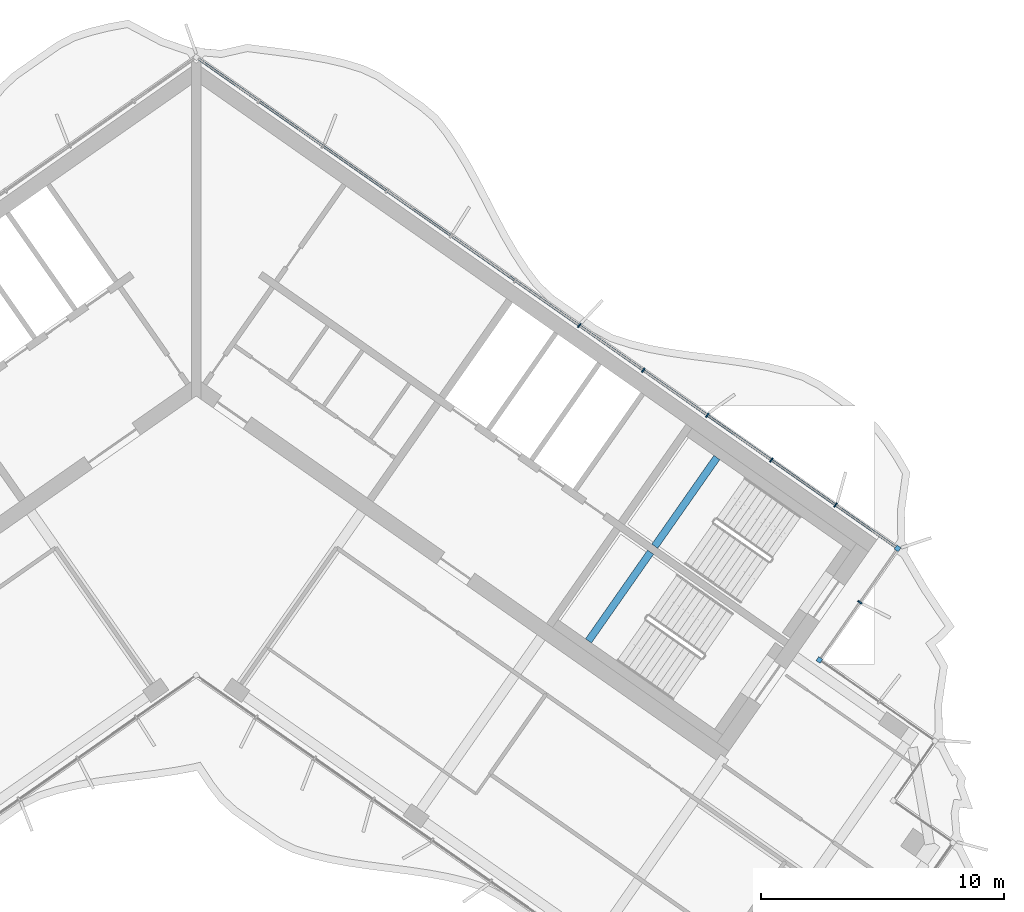
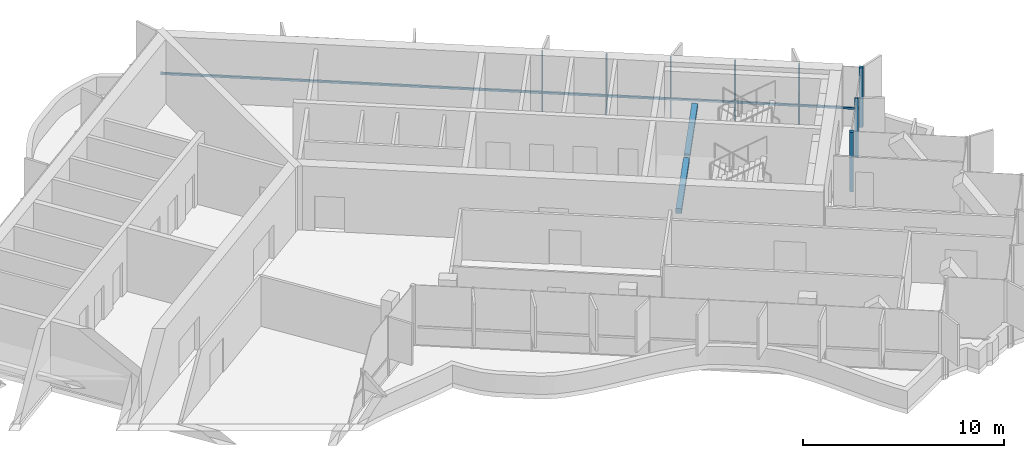
# One storey, part 5 of 18: 9 members, 2 beams, 1 element without a shape of its own.
"""IFC4 building model written with IfcOpenShell, lengths in metres."""

from ifc_helpers import new_model, si_unit, direction, frame, origin, origin_2d, place, context, subcontext, project, spatial, rectangle, extrude, material, material_profile, profile_set, type_object, element, aggregate, save


model = new_model("IFC4")

# Units and contexts
model_context = context("Model", 3, precision=1e-05, world=origin(), true_north=direction((0.0, 1.0)))
body_context = subcontext(model_context, "Body", "Model", "MODEL_VIEW")
ifc_project = project(units=[si_unit("LENGTHUNIT", "METRE"), si_unit("AREAUNIT", "SQUARE_METRE"), si_unit("VOLUMEUNIT", "CUBIC_METRE"), si_unit("PLANEANGLEUNIT", "RADIAN"), si_unit("MASSUNIT", "GRAM", prefix="KILO")], contexts=[model_context])

# Site, building, storey
site_placement = place(None, origin())
site = spatial("IfcSite", under=ifc_project, at=site_placement, CompositionType="ELEMENT")
building_placement = place(site_placement, origin())
building = spatial("IfcBuilding", under=site, at=building_placement, Name="Tel Ilan Convention Tower", CompositionType="ELEMENT")
storey_placement = place(building_placement, frame((0.0, 0.0, 268.300048828125)))
storey = spatial("IfcBuildingStorey", under=building, at=storey_placement, Name="L63", CompositionType="ELEMENT", Elevation=268.300048828125)

# Curtain wall, members
ifc_material_1 = material(Name="Aluminium, bronze anodised", Category="aluminium")
curtain_wall_type = type_object("IfcCurtainWallType", Name="CW2 STICK CURTAIN WALL, SPANDREL PANELS", PredefinedType="NOTDEFINED", material=ifc_material_1)
curtain_wall_placement = place(storey_placement, origin())
curtain_wall = element("IfcCurtainWall", 1, at=curtain_wall_placement, inside=storey, type_object=curtain_wall_type, Name="Curtain wall CW2-48.01", PredefinedType="NOTDEFINED")
ifc_material_2 = material(Name="Aluminium, bronze anodised", Category="aluminium")
ifc_material_profile_1 = material_profile(ifc_material_2, rectangle(XDim=0.199951171875, YDim=0.199951171875, at=origin_2d()), Name="CW CORNER MULLION 200x200")
ifc_profile_set_1 = profile_set([ifc_material_profile_1], Name="Aluminium, bronze anodised")
member_type_1 = type_object("IfcMemberType", Name="CW CORNER MULLION 200x200", PredefinedType="MULLION", material=ifc_profile_set_1)
member_1_placement = place(storey_placement, frame((25.607421875, -12.07080078125, 0.0), z_axis=(0.0, 0.0, 1.0), x_axis=(-0.819152044289, 0.573576436351, 0.0)))
member_1 = element("IfcMember", 2, at=member_1_placement, type_object=member_type_1, Name="Corner mullion", PredefinedType="MULLION", context=body_context, shape_type="SweptSolid", body=[
    extrude(rectangle(XDim=0.199951171875, YDim=0.199951171875, at=origin_2d()), origin(), (0.0, 0.0, 1.0), 3.619873046875),
])
member_2_placement = place(storey_placement, frame((28.819580078125, -7.483642578125, 0.0), z_axis=(0.0, 0.0, 1.0), x_axis=(0.573576436351, 0.819152044289, 0.0)))
member_2 = element("IfcMember", 3, at=member_2_placement, type_object=member_type_1, Name="Corner mullion", PredefinedType="MULLION", context=body_context, shape_type="SweptSolid", body=[
    extrude(rectangle(XDim=0.199951171875, YDim=0.199951171875, at=origin_2d()), origin(), (0.0, 0.0, 1.0), 3.619873046875),
])
ifc_material_3 = material(Name="Aluminium, bronze anodised", Category="aluminium")
ifc_material_profile_2 = material_profile(ifc_material_3, rectangle(XDim=0.06005859375, YDim=0.199951171875, at=origin_2d()), Name="CW MULLION 60x200")
ifc_profile_set_2 = profile_set([ifc_material_profile_2], Name="Aluminium, bronze anodised")
member_type_2 = type_object("IfcMemberType", Name="CW MULLION 60x200", PredefinedType="MULLION", material=ifc_profile_set_2)
member_3_placement = place(storey_placement, frame((27.27099609375, -9.6953125, 0.0), z_axis=(0.0, 0.0, 1.0), x_axis=(0.573576436351, 0.819152044289, 0.0)))
member_3 = element("IfcMember", 4, at=member_3_placement, type_object=member_type_2, Name="Mullion", PredefinedType="MULLION", context=body_context, shape_type="SweptSolid", body=[
    extrude(rectangle(XDim=0.06005859375, YDim=0.199951171875, at=origin_2d()), origin(), (0.0, 0.0, 1.0), 3.619873046875),
])
member_4_placement = place(storey_placement, frame((26.268798828125, -5.697509765625, 0.0), z_axis=(0.0, 0.0, 1.0), x_axis=(-0.819152044289, 0.573576436351, 0.0)))
member_4 = element("IfcMember", 5, at=member_4_placement, type_object=member_type_2, Name="Mullion", PredefinedType="MULLION", context=body_context, shape_type="SweptSolid", body=[
    extrude(rectangle(XDim=0.06005859375, YDim=0.199951171875, at=origin_2d()), origin(), (0.0, 0.0, 1.0), 3.619873046875),
])
member_5_placement = place(storey_placement, frame((23.63623046875, -3.854248046875, 0.0), z_axis=(0.0, 0.0, 1.0), x_axis=(-0.819152044289, 0.573576436351, 0.0)))
member_5 = element("IfcMember", 6, at=member_5_placement, type_object=member_type_2, Name="Mullion", PredefinedType="MULLION", context=body_context, shape_type="SweptSolid", body=[
    extrude(rectangle(XDim=0.06005859375, YDim=0.199951171875, at=origin_2d()), origin(), (0.0, 0.0, 1.0), 3.619873046875),
])
member_6_placement = place(storey_placement, frame((21.003662109375, -2.0107421875, 0.0), z_axis=(0.0, 0.0, 1.0), x_axis=(-0.819152044289, 0.573576436351, 0.0)))
member_6 = element("IfcMember", 7, at=member_6_placement, type_object=member_type_2, Name="Mullion", PredefinedType="MULLION", context=body_context, shape_type="SweptSolid", body=[
    extrude(rectangle(XDim=0.06005859375, YDim=0.199951171875, at=origin_2d()), origin(), (0.0, 0.0, 1.0), 3.619873046875),
])
member_7_placement = place(storey_placement, frame((18.37109375, -0.16748046875, 0.0), z_axis=(0.0, 0.0, 1.0), x_axis=(-0.819152044289, 0.573576436351, 0.0)))
member_7 = element("IfcMember", 8, at=member_7_placement, type_object=member_type_2, Name="Mullion", PredefinedType="MULLION", context=body_context, shape_type="SweptSolid", body=[
    extrude(rectangle(XDim=0.06005859375, YDim=0.199951171875, at=origin_2d()), origin(), (0.0, 0.0, 1.0), 3.619873046875),
])
member_8_placement = place(storey_placement, frame((15.73828125, 1.676025390625, 0.0), z_axis=(0.0, 0.0, 1.0), x_axis=(-0.819152044289, 0.573576436351, 0.0)))
member_8 = element("IfcMember", 9, at=member_8_placement, type_object=member_type_2, Name="Mullion", PredefinedType="MULLION", context=body_context, shape_type="SweptSolid", body=[
    extrude(rectangle(XDim=0.06005859375, YDim=0.199951171875, at=origin_2d()), origin(), (0.0, 0.0, 1.0), 3.619873046875),
])
ifc_material_4 = material(Name="Aluminium, bronze anodised", Category="aluminium")
ifc_material_profile_3 = material_profile(ifc_material_4, rectangle(XDim=0.10009765625, YDim=0.1201171875, at=origin_2d()), Name="CW TRANSOM 100x120")
ifc_profile_set_3 = profile_set([ifc_material_profile_3], Name="Aluminium, bronze anodised")
member_type_3 = type_object("IfcMemberType", Name="CW TRANSOM 100x120", PredefinedType="USERDEFINED", material=ifc_profile_set_3)
member_9_placement = place(storey_placement, frame((28.737548828125, -7.42626953125, 1.099853515625), z_axis=(-0.819150201937, 0.573579067494, 0.0), x_axis=(-0.573579067494, -0.819150201937, 0.0)))
member_9 = element("IfcMember", 10, at=member_9_placement, type_object=member_type_3, Name="Transom", ObjectType="TRANSOM", PredefinedType="USERDEFINED", context=body_context, shape_type="SweptSolid", body=[
    extrude(rectangle(XDim=0.10009765625, YDim=0.1201171875, at=origin_2d()), origin(), (0.0, 0.0, 1.0), 34.9521484375),
])
aggregate(curtain_wall, [member_1, member_3, member_2, member_4, member_5, member_6, member_7, member_8, member_9])

# Beams
ifc_material_5 = material(Name="Concrete C40/50", Category="concrete")
ifc_material_profile_4 = material_profile(ifc_material_5, rectangle(XDim=0.300048828125, YDim=0.300048828125, at=origin_2d()), Name="RC 300x300")
ifc_profile_set_4 = profile_set([ifc_material_profile_4], Name="Concrete C40/50")
beam_type = type_object("IfcBeamType", Name="Landing Beam RC 300x300 Concrete C40/50", PredefinedType="BEAM", material=ifc_profile_set_4)
beam_1_placement = place(storey_placement, frame((21.39404296875, -3.7490234375, 1.599853515625), z_axis=(-0.573547030514, -0.819172633691, 0.0), x_axis=(0.819172633691, -0.573547030514, 0.0)))
element("IfcBeam", 11, at=beam_1_placement, inside=storey, type_object=beam_type, Name="S3 landing beam L63.1", PredefinedType="BEAM", context=body_context, shape_type="SweptSolid", body=[
    extrude(rectangle(XDim=0.300048828125, YDim=0.300048828125, at=origin_2d()), origin(), (0.0, 0.0, 1.0), 4.449951171875),
])
beam_2_placement = place(storey_placement, frame((18.669677734375, -7.64013671875, 1.599853515625), z_axis=(-0.573583844845, -0.819146856756, 0.0), x_axis=(0.819146856756, -0.573583844845, 0.0)))
element("IfcBeam", 12, at=beam_2_placement, inside=storey, type_object=beam_type, Name="S4 landing beam L63.1", PredefinedType="BEAM", context=body_context, shape_type="SweptSolid", body=[
    extrude(rectangle(XDim=0.300048828125, YDim=0.300048828125, at=origin_2d()), origin(), (0.0, 0.0, 1.0), 4.4501953125),
])

save(model, "model.ifc")
